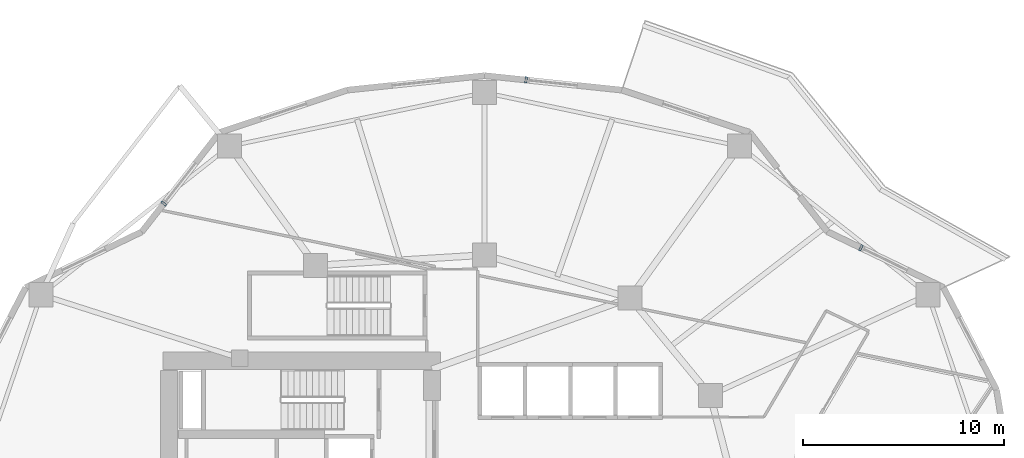
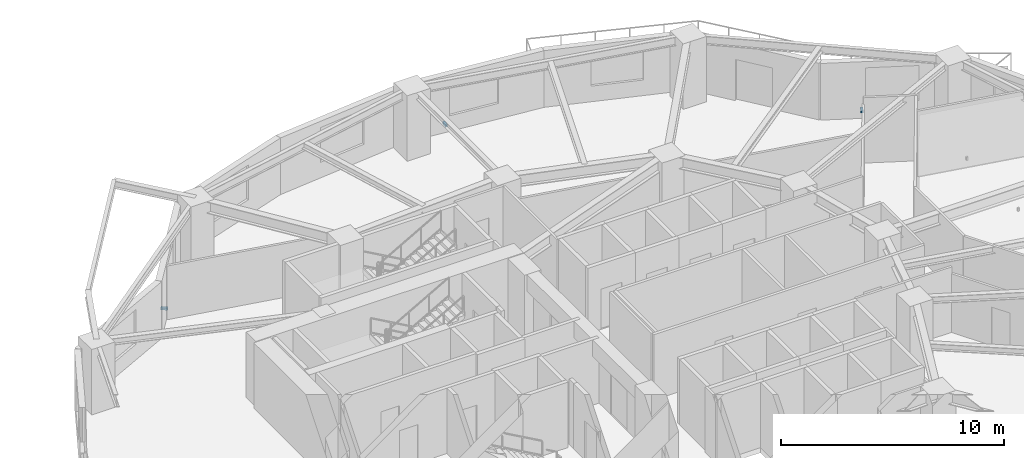
# One storey, part 9 of 14: 3 discrete accessories.
"""IFC4 building model written with IfcOpenShell, lengths in metres."""

from ifc_helpers import new_model, si_unit, direction, frame, origin, origin_2d, place, context, subcontext, project, spatial, rectangle, extrude, material, type_object, element, save


model = new_model("IFC4")

# Units and contexts
model_context = context("Model", 3, precision=1e-05, world=origin(), true_north=direction((0.0, 1.0)))
body_context = subcontext(model_context, "Body", "Model", "MODEL_VIEW")
ifc_project = project(units=[si_unit("LENGTHUNIT", "METRE"), si_unit("AREAUNIT", "SQUARE_METRE"), si_unit("VOLUMEUNIT", "CUBIC_METRE"), si_unit("PLANEANGLEUNIT", "RADIAN"), si_unit("MASSUNIT", "GRAM", prefix="KILO")], contexts=[model_context])

# Site, building, storey
site_placement = place(None, origin())
site = spatial("IfcSite", under=ifc_project, at=site_placement, CompositionType="ELEMENT")
building_placement = place(site_placement, origin())
building = spatial("IfcBuilding", under=site, at=building_placement, Name="Kolvaren Gate Tower and Convention Centre", CompositionType="ELEMENT")
storey_placement = place(building_placement, frame((0.0, 0.0, 57.300048828125)))
storey = spatial("IfcBuildingStorey", under=building, at=storey_placement, Name="L13", CompositionType="ELEMENT", Elevation=57.300048828125)

# Discrete accessories
ifc_material = material(Name="Anodized Architectural Aluminium Alloy 6063-T6", Category="aluminium")
discrete_accessory_type = type_object("IfcDiscreteAccessoryType", Name="ARCH-ACC-BRACKET-120", PredefinedType="BRACKET", material=ifc_material)
for number, where, z_axis, x_axis, name in (
    (1, (48.89599609375, 39.556640625, 0.289794921875), (0.0, 0.0, 1.0), (0.901357634097, -0.433075530889, 0.0), "Ceramic Fin Wall Anchor Bracket FBK-L13-02"),
    (2, (32.193603515625, 47.93212890625, 0.289794921875), (0.0, 0.0, 1.0), (0.994498884311, -0.104747167526, 0.0), "Ceramic Fin Wall Anchor Bracket FBK-L13-05"),
    (3, (14.127685546875, 41.76708984375, 0.289794921875), (0.0, 0.0, 1.0), (0.61644236478, 0.787400032325, 0.0), "Ceramic Fin Wall Anchor Bracket FBK-L13-08"),
):
    element("IfcDiscreteAccessory", number, at=place(storey_placement, frame(where, z_axis=z_axis, x_axis=x_axis)), inside=storey, type_object=discrete_accessory_type, Name=name, PredefinedType="BRACKET", context=body_context, shape_type="SweptSolid", body=[
        extrude(rectangle(XDim=0.1201171875, YDim=0.320068359375, at=origin_2d()), origin(), (0.0, 0.0, 1.0), 0.1201171875),
    ])

save(model, "model.ifc")
